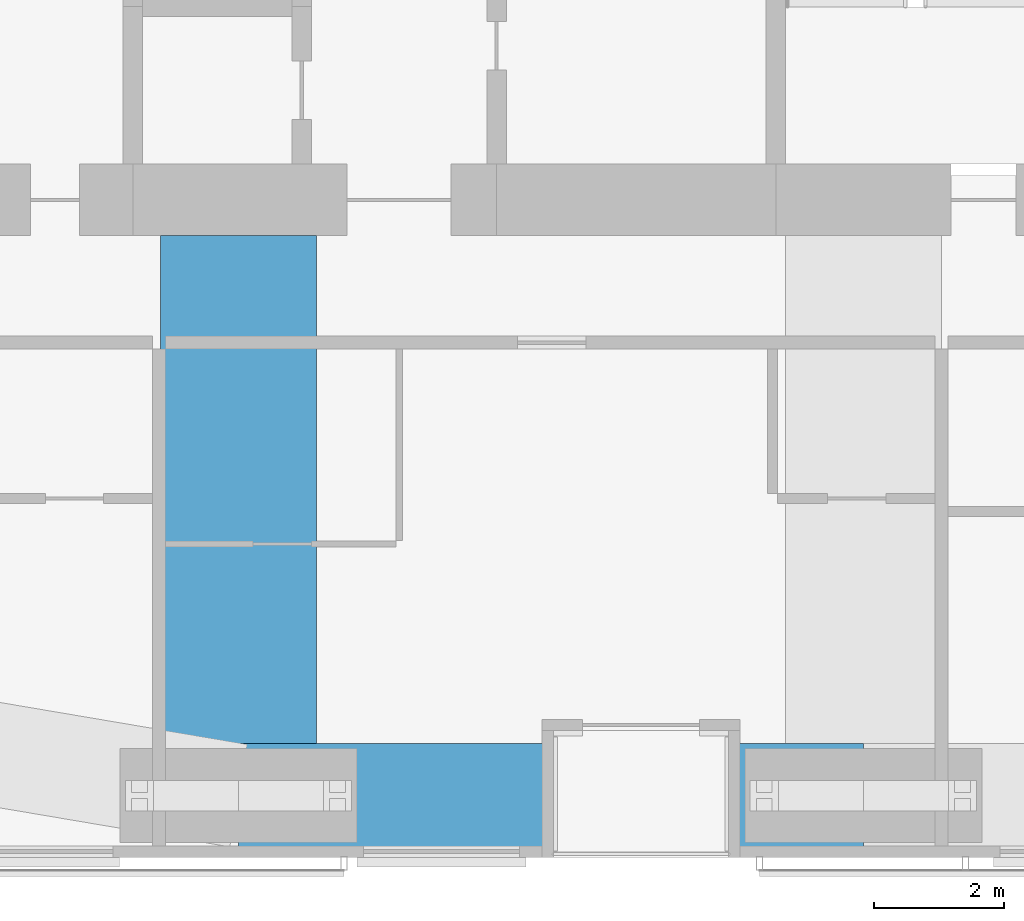
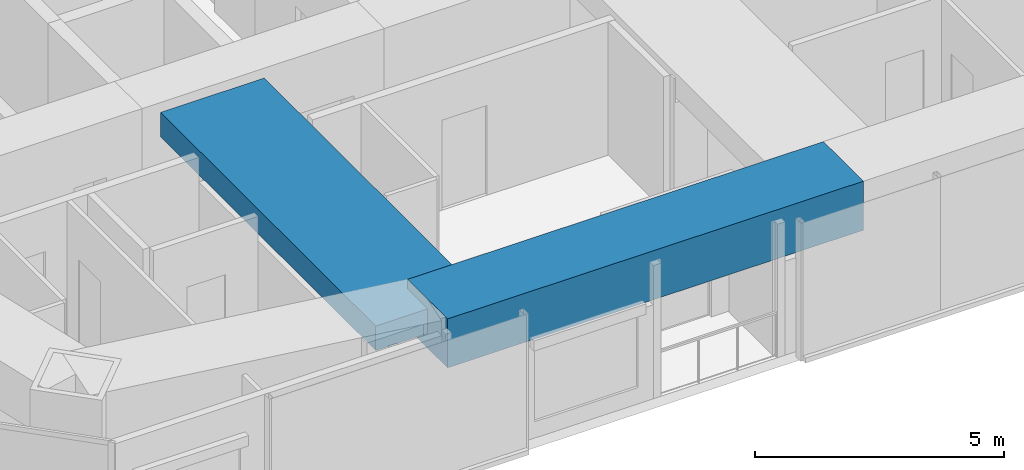
# One storey, part 3 of 19: 2 beams.
"""IFC4 building model written with IfcOpenShell, lengths in metres."""

from ifc_helpers import new_model, si_unit, direction, frame, origin, origin_2d, place, context, subcontext, project, spatial, rectangle, extrude, material, material_profile, profile_set, type_object, element, save


model = new_model("IFC4")

# Units and contexts
model_context = context("Model", 3, precision=1e-05, world=origin(), true_north=direction((0.0, 1.0)))
body_context = subcontext(model_context, "Body", "Model", "MODEL_VIEW")
ifc_project = project(units=[si_unit("LENGTHUNIT", "METRE"), si_unit("AREAUNIT", "SQUARE_METRE"), si_unit("VOLUMEUNIT", "CUBIC_METRE"), si_unit("PLANEANGLEUNIT", "RADIAN"), si_unit("MASSUNIT", "GRAM", prefix="KILO")], contexts=[model_context])

# Site, building, storey
site_placement = place(None, origin())
site = spatial("IfcSite", under=ifc_project, at=site_placement, CompositionType="ELEMENT")
building_placement = place(site_placement, origin())
building = spatial("IfcBuilding", under=site, at=building_placement, Name="Jalousie Tower", CompositionType="ELEMENT")
storey_placement = place(building_placement, frame((0.0, 0.0, 221.449951171875)))
storey = spatial("IfcBuildingStorey", under=building, at=storey_placement, Name="L60", CompositionType="ELEMENT", Elevation=221.449951171875)

# Beams
ifc_material_1 = material(Name="Concrete f'c 40 MPa", Category="concrete")
ifc_material_profile_1 = material_profile(ifc_material_1, rectangle(XDim=1.60009765625, YDim=1.199951171875, at=origin_2d()), Name="RC 1600x1200")
ifc_profile_set_1 = profile_set([ifc_material_profile_1], Name="Concrete f'c 40 MPa")
beam_type_1 = type_object("IfcBeamType", Name="RC BEAM 1600x1200", PredefinedType="BEAM", material=ifc_profile_set_1)
beam_1_placement = place(storey_placement, frame((27.625, 0.949951171875, 2.900146484375), z_axis=(1.0, 0.0, 0.0), x_axis=(0.0, 1.0, 0.0)))
element("IfcBeam", 1, at=beam_1_placement, inside=storey, type_object=beam_type_1, Name="Edge band beam 02-03 under L61", PredefinedType="BEAM", context=body_context, shape_type="SweptSolid", body=[
    extrude(rectangle(XDim=1.60009765625, YDim=1.199951171875, at=origin_2d()), origin(), (0.0, 0.0, 1.0), 9.625),
])
ifc_material_2 = material(Name="Concrete f'c 40 MPa", Category="concrete")
ifc_material_profile_2 = material_profile(ifc_material_2, rectangle(XDim=2.39990234375, YDim=0.60009765625, at=origin_2d()), Name="RC 2400x600")
ifc_profile_set_2 = profile_set([ifc_material_profile_2], Name="Concrete f'c 40 MPa")
beam_type_2 = type_object("IfcBeamType", Name="RC BEAM 2400x600", PredefinedType="BEAM", material=ifc_profile_set_2)
beam_2_placement = place(storey_placement, frame((27.625, 0.949951171875, 2.9599609375), z_axis=(0.0, 1.0, 0.0), x_axis=(-1.0, 0.0, 0.0)))
element("IfcBeam", 2, at=beam_2_placement, inside=storey, type_object=beam_type_2, Name="Floor band beam under L61", PredefinedType="BEAM", context=body_context, shape_type="SweptSolid", body=[
    extrude(rectangle(XDim=2.39990234375, YDim=0.60009765625, at=origin_2d()), origin(), (0.0, 0.0, 1.0), 8.625),
])

save(model, "model.ifc")
